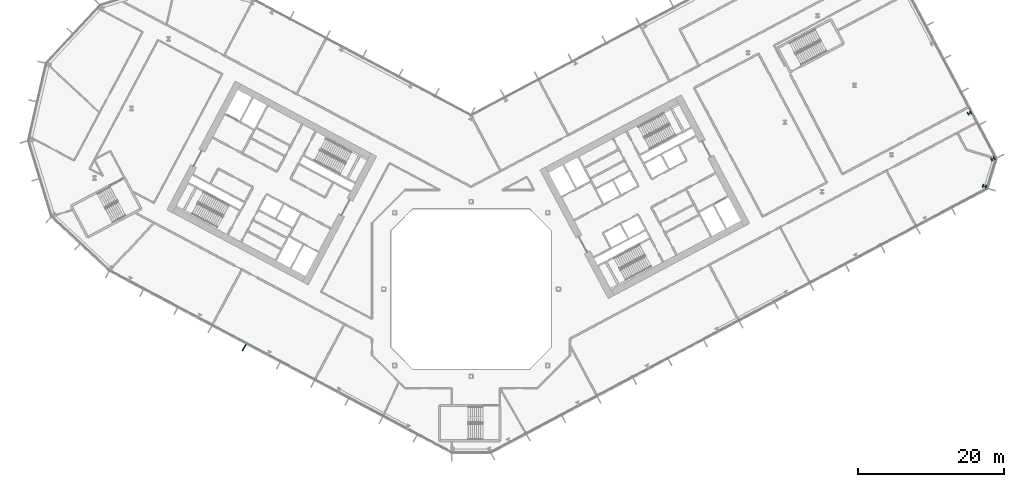
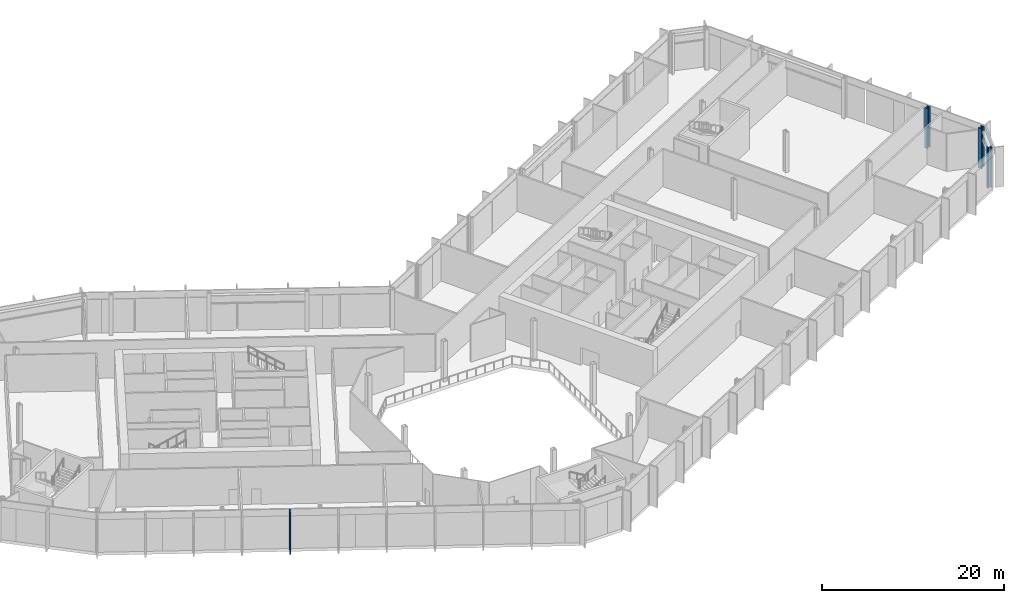
# One storey, part 5 of 32: 3 columns, 1 member, 1 element without a shape of its own.
"""IFC4 building model written with IfcOpenShell, lengths in metres."""

import ifcopenshell
import ifcopenshell.guid

model = None  # the IFC model being written
_history = None  # IfcOwnerHistory: only IFC2X3 demands one
_inside = {}  # id of a spatial element -> (the spatial element, [elements in it])
_under = {}  # id of a project, library or spatial element -> (it, [spatial elements below it])
_declared = {}  # id of a project -> (the project, [libraries it declares])
_typed = {}  # id of a type object -> (the type object, [elements of that type])
_made_of = {}  # id of a material, layer set ... -> (it, [elements and type objects made of it])


def new_model(schema):
    """Start an empty IFC model of exactly this schema.

    Asked for "IFC4X3", IfcOpenShell would pick the latest addendum, in which some entities
    have other attributes; the version numbers below select the first issue.
    IFC2X3 requires an IfcOwnerHistory on every rooted entity: one is made here for all.
    """
    global model, _history
    if schema == "IFC4X3":
        model = ifcopenshell.file(schema_version=(4, 3, 0, 0))
    else:
        model = ifcopenshell.file(schema=schema)
    _inside.clear()
    _under.clear()
    _declared.clear()
    _typed.clear()
    _made_of.clear()
    _history = None
    if model.schema == "IFC2X3":
        org = make("IfcOrganization", Name="unknown")
        user = make(
            "IfcPersonAndOrganization",
            ThePerson=make("IfcPerson", FamilyName="unknown"),
            TheOrganization=org,
        )
        app = make(
            "IfcApplication",
            ApplicationDeveloper=org,
            Version="unknown",
            ApplicationFullName="unknown",
            ApplicationIdentifier="unknown",
        )
        _history = make(
            "IfcOwnerHistory",
            OwningUser=user,
            OwningApplication=app,
            ChangeAction="ADDED",
            CreationDate=0,
        )
    return model


def make(cls, **values):
    """One entity of the class cls with the attributes given. An attribute that is None is left unset."""
    return model.create_entity(
        cls, **{name: value for name, value in values.items() if value is not None}
    )


def rooted(cls, **values):
    """An entity with a GlobalId (a new one), such as an element, a storey or a relation."""
    return make(cls, GlobalId=ifcopenshell.guid.new(), OwnerHistory=_history, **values)


def si_unit(unit_type, name, prefix=None):
    """IfcSIUnit, for example si_unit("LENGTHUNIT", "METRE", prefix="MILLI")."""
    return make("IfcSIUnit", UnitType=unit_type, Prefix=prefix, Name=name)


def assignment(units):
    """IfcUnitAssignment: the units of a project."""
    return None if units is None else make("IfcUnitAssignment", Units=units)


def point(xyz):
    """IfcCartesianPoint."""
    return None if xyz is None else make("IfcCartesianPoint", Coordinates=xyz)


def direction(xyz):
    """IfcDirection."""
    return None if xyz is None else make("IfcDirection", DirectionRatios=xyz)


def frame(location, z_axis=None, x_axis=None):
    """IfcAxis2Placement3D, a coordinate frame: its origin and axes. An axis left out is left unset."""
    return make(
        "IfcAxis2Placement3D",
        Location=point(location),
        Axis=direction(z_axis),
        RefDirection=direction(x_axis),
    )


def frame_2d(location, x_axis=None):
    """IfcAxis2Placement2D, a coordinate frame in the plane: its origin and x axis."""
    return make(
        "IfcAxis2Placement2D", Location=point(location), RefDirection=direction(x_axis)
    )


def origin():
    """The frame at (0, 0, 0) with its axes left unset."""
    return frame((0.0, 0.0, 0.0))


def origin_2d():
    """The frame at (0, 0) in the plane with its x axis left unset."""
    return frame_2d((0.0, 0.0))


def place(relative_to, where):
    """IfcLocalPlacement: puts the frame where relative to a parent placement (None: the world)."""
    return make(
        "IfcLocalPlacement", PlacementRelTo=relative_to, RelativePlacement=where
    )


def context(
    kind, dimensions, precision=None, world=None, true_north=None, identifier=None
):
    """IfcGeometricRepresentationContext, for example the 3D "Model" context."""
    return make(
        "IfcGeometricRepresentationContext",
        ContextIdentifier=identifier,
        ContextType=kind,
        CoordinateSpaceDimension=dimensions,
        Precision=precision,
        WorldCoordinateSystem=world,
        TrueNorth=true_north,
    )


def subcontext(parent, identifier, kind, view, scale=None):
    """IfcGeometricRepresentationSubContext, for example "Body" below "Model"."""
    return make(
        "IfcGeometricRepresentationSubContext",
        ContextIdentifier=identifier,
        ContextType=kind,
        ParentContext=parent,
        TargetScale=scale,
        TargetView=view,
    )


def project(units=None, contexts=None):
    """IfcProject with its units and contexts."""
    return rooted(
        "IfcProject",
        Name="project",
        RepresentationContexts=contexts,
        UnitsInContext=assignment(units),
    )


def spatial(cls, under=None, at=None, **own):
    """A site, building, storey or space (cls), placed at a placement, below another one or the project."""
    s = rooted(cls, ObjectPlacement=at, **own)
    if under is not None:
        _under.setdefault(under.id(), (under, []))[1].append(s)
    return s


def profile(cls, at=None, kind="AREA", **sizes):
    """A parametric profile (cls). Its sizes go by their IFC names, for example OverallWidth=200.0."""
    return make(cls, ProfileType=kind, Position=at, **sizes)


def rectangle(**sizes):
    """IfcRectangleProfileDef."""
    return profile("IfcRectangleProfileDef", **sizes)


def i_section(**sizes):
    """IfcIShapeProfileDef."""
    return profile("IfcIShapeProfileDef", **sizes)


def extrude(swept, where, along, depth):
    """IfcExtrudedAreaSolid: the profile swept, set in the frame where, extruded along a direction by depth."""
    return make(
        "IfcExtrudedAreaSolid",
        SweptArea=swept,
        Position=where,
        ExtrudedDirection=direction(along),
        Depth=depth,
    )


def shape(context_of_items, identifier, shape_type, items):
    """IfcShapeRepresentation: the items that make up one representation, for example the "Body"."""
    return make(
        "IfcShapeRepresentation",
        ContextOfItems=context_of_items,
        RepresentationIdentifier=identifier,
        RepresentationType=shape_type,
        Items=items,
    )


def material(Name=None, Category=None):
    """IfcMaterial."""
    return make("IfcMaterial", Name=Name, Category=Category)


def layer(
    of_material, thickness, ventilated=None, Name=None, Category=None, Priority=None
):
    """IfcMaterialLayer: one layer of a wall or slab, of a material (None: an air gap)."""
    return make(
        "IfcMaterialLayer",
        Material=of_material,
        LayerThickness=thickness,
        IsVentilated=ventilated,
        Name=Name,
        Category=Category,
        Priority=Priority,
    )


def layer_set(layers, Name=None):
    """IfcMaterialLayerSet."""
    return make("IfcMaterialLayerSet", MaterialLayers=layers, LayerSetName=Name)


def material_profile(
    of_material, cross_section, Name=None, Category=None, Priority=None
):
    """IfcMaterialProfile: a cross section and its material."""
    return make(
        "IfcMaterialProfile",
        Name=Name,
        Material=of_material,
        Profile=cross_section,
        Priority=Priority,
        Category=Category,
    )


def profile_set(profiles, Name=None, composite=None):
    """IfcMaterialProfileSet."""
    return make(
        "IfcMaterialProfileSet",
        Name=Name,
        MaterialProfiles=profiles,
        CompositeProfile=composite,
    )


def made_of(thing, what):
    """Note that an element or type object is made of a material, layer set ...; save() writes the relation."""
    if what is not None:
        _made_of.setdefault(what.id(), (what, []))[1].append(thing)
    return thing


def type_object(cls, material=None, **own):
    """A type object (cls), such as IfcWallType, which elements share."""
    return made_of(rooted(cls, **own), material)


def element(
    cls,
    number,
    at=None,
    inside=None,
    cuts=None,
    type_object=None,
    material=None,
    context=None,
    identifier="Body",
    shape_type=None,
    held_by="IfcProductDefinitionShape",
    body=None,
    shapes=None,
    **own,
):
    """One element of the class cls, such as IfcWall. Its Tag is "e" and its number.

    at: its placement. inside: the storey or other place that contains it. cuts: it is an
    opening in that element (IfcRelVoidsElement). A single representation is given by context,
    identifier, shape_type and body (its items); several are given by shapes. held_by: the class
    of the entity that holds the representations. save() writes the other relations.
    """
    e = rooted(cls, Tag="e%d" % number, ObjectPlacement=at, **own)
    if body is not None:
        shapes = [shape(context, identifier, shape_type, body)]
    if shapes is not None:
        e.Representation = make(held_by, Representations=shapes)
    if inside is not None:
        _inside.setdefault(inside.id(), (inside, []))[1].append(e)
    if cuts is not None:
        rooted(
            "IfcRelVoidsElement", RelatingBuildingElement=cuts, RelatedOpeningElement=e
        )
    if type_object is not None:
        _typed.setdefault(type_object.id(), (type_object, []))[1].append(e)
    return made_of(e, material)


def aggregate(whole, parts):
    """IfcRelAggregates: a whole, such as a stair, and the parts it consists of."""
    return rooted("IfcRelAggregates", RelatingObject=whole, RelatedObjects=parts)


def save(model, path):
    """Write the relations noted so far, then the file.

    IfcRelAggregates (storeys below a building ...), IfcRelContainedInSpatialStructure (elements
    in a storey), IfcRelDefinesByType, IfcRelAssociatesMaterial and IfcRelDeclares: one each for
    every whole, place, type object, material and project.
    """
    for whole, parts in _under.values():
        aggregate(whole, parts)
    for where, things in _inside.values():
        rooted(
            "IfcRelContainedInSpatialStructure",
            RelatedElements=things,
            RelatingStructure=where,
        )
    for kind, things in _typed.values():
        rooted("IfcRelDefinesByType", RelatedObjects=things, RelatingType=kind)
    for what, things in _made_of.values():
        rooted("IfcRelAssociatesMaterial", RelatedObjects=things, RelatingMaterial=what)
    for by, libraries in _declared.values():
        rooted("IfcRelDeclares", RelatingContext=by, RelatedDefinitions=libraries)
    model.write(path)


model = new_model("IFC4")

# Units and contexts
model_context = context("Model", 3, precision=1e-05, world=origin(), true_north=direction((0.0, 1.0)))
body_context = subcontext(model_context, "Body", "Model", "MODEL_VIEW")
ifc_project = project(units=[si_unit("LENGTHUNIT", "METRE"), si_unit("AREAUNIT", "SQUARE_METRE"), si_unit("VOLUMEUNIT", "CUBIC_METRE"), si_unit("PLANEANGLEUNIT", "RADIAN"), si_unit("MASSUNIT", "GRAM", prefix="KILO")], contexts=[model_context])

# Site, building, storey
site_placement = place(None, origin())
site = spatial("IfcSite", under=ifc_project, at=site_placement, CompositionType="ELEMENT")
building_placement = place(site_placement, origin())
building = spatial("IfcBuilding", under=site, at=building_placement, Name="Cormorant Relay Tower", CompositionType="ELEMENT")
storey_placement = place(building_placement, frame((0.0, 0.0, 60.800048828125)))
storey = spatial("IfcBuildingStorey", under=building, at=storey_placement, Name="L11", CompositionType="ELEMENT", Elevation=60.800048828125)

# Columns
ifc_material_1 = material(Name="Steel ASTM A992 (Fy 345 MPa)", Category="steel")
ifc_material_profile_1 = material_profile(ifc_material_1, i_section(OverallWidth=0.45458984375, OverallDepth=0.569091796875, WebThickness=0.077880859375, FlangeThickness=0.124755859375, FilletRadius=0.015380859375, at=origin_2d()), Name="W360x1086")
ifc_profile_set_1 = profile_set([ifc_material_profile_1], Name="Steel ASTM A992 (Fy 345 MPa)")
column_type_1 = type_object("IfcColumnType", Name="Column W360x1086", PredefinedType="COLUMN", material=ifc_profile_set_1)
for number, where, z_axis, x_axis, name in (
    (1, (70.47412109375, 14.10595703125, 0.0), (0.0, 0.0, 1.0), (0.292371704723, 0.956304755963, 0.0), "Column L11-026"),
    (2, (71.625, 17.87109375, 0.0), (0.0, 0.0, 1.0), (-0.469471562786, 0.882947592859, 0.0), "Column L11-028"),
):
    element("IfcColumn", number, at=place(storey_placement, frame(where, z_axis=z_axis, x_axis=x_axis)), inside=storey, type_object=column_type_1, Name=name, PredefinedType="COLUMN", context=body_context, shape_type="SweptSolid", body=[
        extrude(i_section(OverallWidth=0.45458984375, OverallDepth=0.569091796875, WebThickness=0.077880859375, FlangeThickness=0.124755859375, FilletRadius=0.015380859375, at=origin_2d()), origin(), (0.0, 0.0, 1.0), 5.39990234375),
    ])
ifc_material_2 = material(Name="Steel ASTM A992 (Fy 345 MPa)", Category="steel")
ifc_material_profile_2 = material_profile(ifc_material_2, i_section(OverallWidth=0.43701171875, OverallDepth=0.51318359375, WebThickness=0.060546875, FlangeThickness=0.096923828125, FilletRadius=0.015380859375, at=origin_2d()), Name="W360x818")
ifc_profile_set_2 = profile_set([ifc_material_profile_2], Name="Steel ASTM A992 (Fy 345 MPa)")
column_type_2 = type_object("IfcColumnType", Name="Column W360x818", PredefinedType="COLUMN", material=ifc_profile_set_2)
column_placement = place(storey_placement, frame((68.4130859375, 24.14404296875, 0.0), z_axis=(0.0, 0.0, 1.0), x_axis=(-0.469471562786, 0.882947592859, 0.0)))
element("IfcColumn", 3, at=column_placement, inside=storey, type_object=column_type_2, Name="Column L11-033", PredefinedType="COLUMN", context=body_context, shape_type="SweptSolid", body=[
    extrude(i_section(OverallWidth=0.43701171875, OverallDepth=0.51318359375, WebThickness=0.060546875, FlangeThickness=0.096923828125, FilletRadius=0.015380859375, at=origin_2d()), origin(), (0.0, 0.0, 1.0), 5.39990234375),
])

# Curtain wall, member
ifc_material_3 = material(Name="Aluminium 6063-T6 anodised bronze", Category="aluminium")
ifc_layer = layer(ifc_material_3, 0.235107421875)
ifc_layer_set = layer_set([ifc_layer], Name="CW6 data hall curtain wall with mineral wool panels")
curtain_wall_type = type_object("IfcCurtainWallType", Name="CW6 data hall curtain wall with mineral wool panels", PredefinedType="NOTDEFINED", material=ifc_layer_set)
curtain_wall_placement = place(storey_placement, origin())
curtain_wall = element("IfcCurtainWall", 4, at=curtain_wall_placement, inside=storey, type_object=curtain_wall_type, Name="CW6 curtain wall 14", PredefinedType="NOTDEFINED")
ifc_material_4 = material(Name="Aluminium 6063-T6 anodised bronze", Category="aluminium")
ifc_material_profile_3 = material_profile(ifc_material_4, rectangle(XDim=0.14990234375, YDim=1.0, at=origin_2d()), Name="AL 150x1000")
ifc_profile_set_3 = profile_set([ifc_material_profile_3], Name="Aluminium 6063-T6 anodised bronze")
member_type = type_object("IfcMemberType", Name="CW6 bronze fin mullion 150 x 1000", PredefinedType="MULLION", material=ifc_profile_set_3)
member_placement = place(storey_placement, frame((-31.159423828125, -8.048583984375, 0.0), z_axis=(0.0, 0.0, 1.0), x_axis=(0.882947592859, -0.469471562786, 0.0)))
member = element("IfcMember", 5, at=member_placement, type_object=member_type, Name="CW6 fin 14.5", PredefinedType="MULLION", context=body_context, shape_type="SweptSolid", body=[
    extrude(rectangle(XDim=0.14990234375, YDim=1.0, at=origin_2d()), origin(), (0.0, 0.0, 1.0), 5.39990234375),
])
aggregate(curtain_wall, [member])

save(model, "model.ifc")
